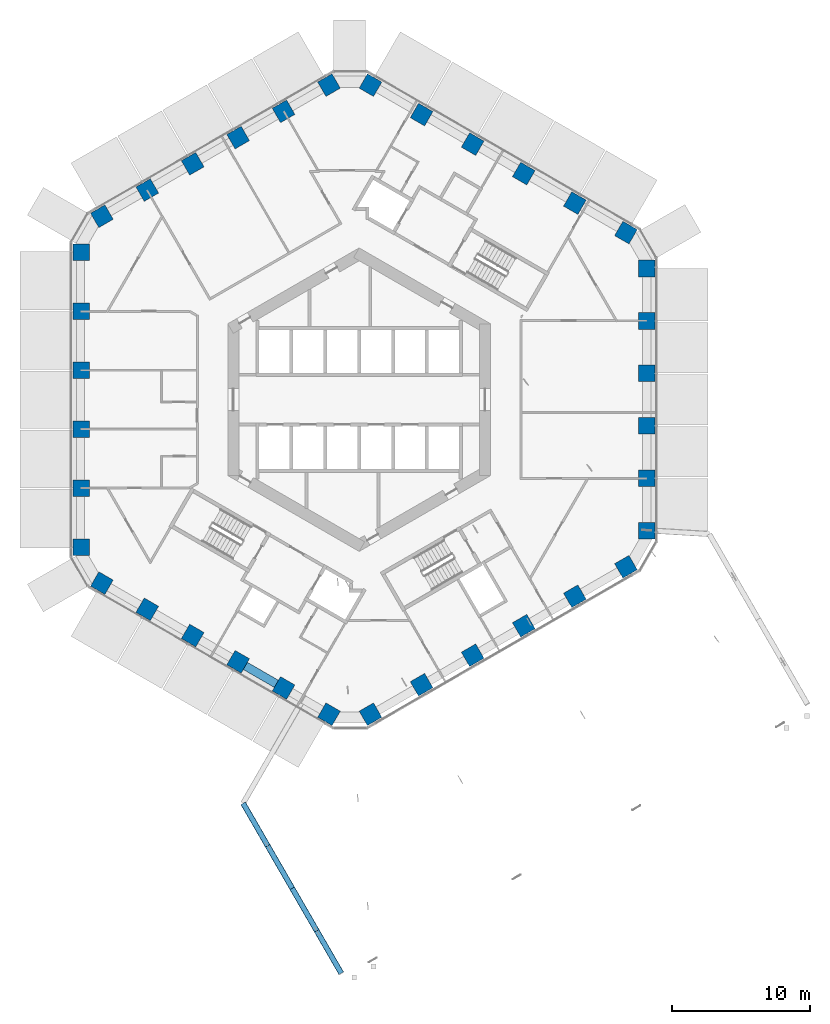
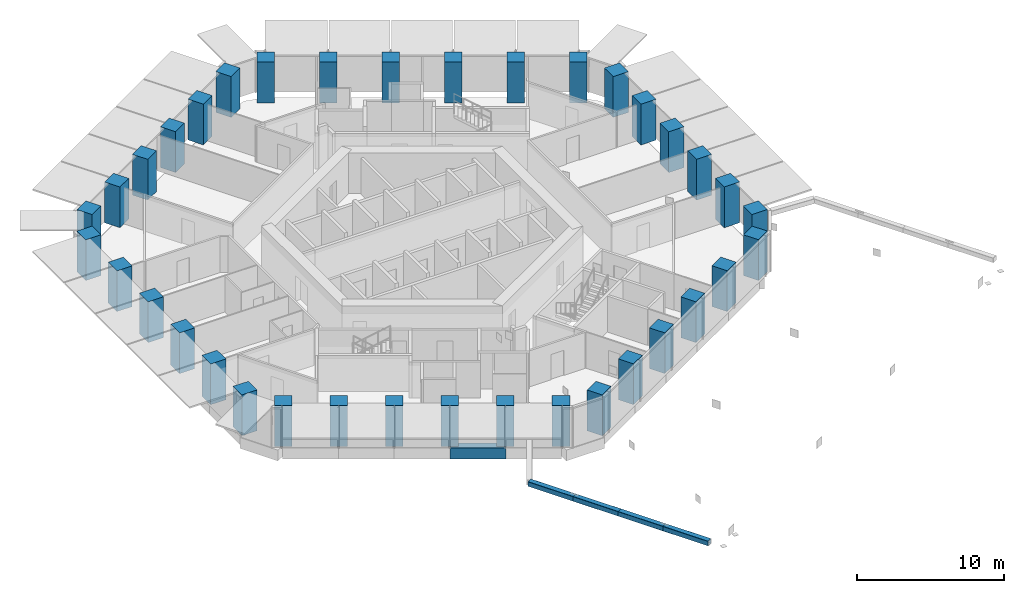
# One storey, part 1 of 22: 36 columns, 4 members, 1 beam.
"""IFC4 building model written with IfcOpenShell, lengths in metres."""

import ifcopenshell
import ifcopenshell.guid

model = None  # the IFC model being written
_history = None  # IfcOwnerHistory: only IFC2X3 demands one
_inside = {}  # id of a spatial element -> (the spatial element, [elements in it])
_under = {}  # id of a project, library or spatial element -> (it, [spatial elements below it])
_declared = {}  # id of a project -> (the project, [libraries it declares])
_typed = {}  # id of a type object -> (the type object, [elements of that type])
_made_of = {}  # id of a material, layer set ... -> (it, [elements and type objects made of it])


def new_model(schema):
    """Start an empty IFC model of exactly this schema.

    Asked for "IFC4X3", IfcOpenShell would pick the latest addendum, in which some entities
    have other attributes; the version numbers below select the first issue.
    IFC2X3 requires an IfcOwnerHistory on every rooted entity: one is made here for all.
    """
    global model, _history
    if schema == "IFC4X3":
        model = ifcopenshell.file(schema_version=(4, 3, 0, 0))
    else:
        model = ifcopenshell.file(schema=schema)
    _inside.clear()
    _under.clear()
    _declared.clear()
    _typed.clear()
    _made_of.clear()
    _history = None
    if model.schema == "IFC2X3":
        org = make("IfcOrganization", Name="unknown")
        user = make(
            "IfcPersonAndOrganization",
            ThePerson=make("IfcPerson", FamilyName="unknown"),
            TheOrganization=org,
        )
        app = make(
            "IfcApplication",
            ApplicationDeveloper=org,
            Version="unknown",
            ApplicationFullName="unknown",
            ApplicationIdentifier="unknown",
        )
        _history = make(
            "IfcOwnerHistory",
            OwningUser=user,
            OwningApplication=app,
            ChangeAction="ADDED",
            CreationDate=0,
        )
    return model


def make(cls, **values):
    """One entity of the class cls with the attributes given. An attribute that is None is left unset."""
    return model.create_entity(
        cls, **{name: value for name, value in values.items() if value is not None}
    )


def rooted(cls, **values):
    """An entity with a GlobalId (a new one), such as an element, a storey or a relation."""
    return make(cls, GlobalId=ifcopenshell.guid.new(), OwnerHistory=_history, **values)


def si_unit(unit_type, name, prefix=None):
    """IfcSIUnit, for example si_unit("LENGTHUNIT", "METRE", prefix="MILLI")."""
    return make("IfcSIUnit", UnitType=unit_type, Prefix=prefix, Name=name)


def assignment(units):
    """IfcUnitAssignment: the units of a project."""
    return None if units is None else make("IfcUnitAssignment", Units=units)


def point(xyz):
    """IfcCartesianPoint."""
    return None if xyz is None else make("IfcCartesianPoint", Coordinates=xyz)


def direction(xyz):
    """IfcDirection."""
    return None if xyz is None else make("IfcDirection", DirectionRatios=xyz)


def frame(location, z_axis=None, x_axis=None):
    """IfcAxis2Placement3D, a coordinate frame: its origin and axes. An axis left out is left unset."""
    return make(
        "IfcAxis2Placement3D",
        Location=point(location),
        Axis=direction(z_axis),
        RefDirection=direction(x_axis),
    )


def frame_2d(location, x_axis=None):
    """IfcAxis2Placement2D, a coordinate frame in the plane: its origin and x axis."""
    return make(
        "IfcAxis2Placement2D", Location=point(location), RefDirection=direction(x_axis)
    )


def origin():
    """The frame at (0, 0, 0) with its axes left unset."""
    return frame((0.0, 0.0, 0.0))


def origin_2d():
    """The frame at (0, 0) in the plane with its x axis left unset."""
    return frame_2d((0.0, 0.0))


def place(relative_to, where):
    """IfcLocalPlacement: puts the frame where relative to a parent placement (None: the world)."""
    return make(
        "IfcLocalPlacement", PlacementRelTo=relative_to, RelativePlacement=where
    )


def context(
    kind, dimensions, precision=None, world=None, true_north=None, identifier=None
):
    """IfcGeometricRepresentationContext, for example the 3D "Model" context."""
    return make(
        "IfcGeometricRepresentationContext",
        ContextIdentifier=identifier,
        ContextType=kind,
        CoordinateSpaceDimension=dimensions,
        Precision=precision,
        WorldCoordinateSystem=world,
        TrueNorth=true_north,
    )


def subcontext(parent, identifier, kind, view, scale=None):
    """IfcGeometricRepresentationSubContext, for example "Body" below "Model"."""
    return make(
        "IfcGeometricRepresentationSubContext",
        ContextIdentifier=identifier,
        ContextType=kind,
        ParentContext=parent,
        TargetScale=scale,
        TargetView=view,
    )


def project(units=None, contexts=None):
    """IfcProject with its units and contexts."""
    return rooted(
        "IfcProject",
        Name="project",
        RepresentationContexts=contexts,
        UnitsInContext=assignment(units),
    )


def spatial(cls, under=None, at=None, **own):
    """A site, building, storey or space (cls), placed at a placement, below another one or the project."""
    s = rooted(cls, ObjectPlacement=at, **own)
    if under is not None:
        _under.setdefault(under.id(), (under, []))[1].append(s)
    return s


def profile(cls, at=None, kind="AREA", **sizes):
    """A parametric profile (cls). Its sizes go by their IFC names, for example OverallWidth=200.0."""
    return make(cls, ProfileType=kind, Position=at, **sizes)


def rectangle(**sizes):
    """IfcRectangleProfileDef."""
    return profile("IfcRectangleProfileDef", **sizes)


def hollow_rectangle(**sizes):
    """IfcRectangleHollowProfileDef."""
    return profile("IfcRectangleHollowProfileDef", **sizes)


def extrude(swept, where, along, depth):
    """IfcExtrudedAreaSolid: the profile swept, set in the frame where, extruded along a direction by depth."""
    return make(
        "IfcExtrudedAreaSolid",
        SweptArea=swept,
        Position=where,
        ExtrudedDirection=direction(along),
        Depth=depth,
    )


def shape(context_of_items, identifier, shape_type, items):
    """IfcShapeRepresentation: the items that make up one representation, for example the "Body"."""
    return make(
        "IfcShapeRepresentation",
        ContextOfItems=context_of_items,
        RepresentationIdentifier=identifier,
        RepresentationType=shape_type,
        Items=items,
    )


def material(Name=None, Category=None):
    """IfcMaterial."""
    return make("IfcMaterial", Name=Name, Category=Category)


def material_profile(
    of_material, cross_section, Name=None, Category=None, Priority=None
):
    """IfcMaterialProfile: a cross section and its material."""
    return make(
        "IfcMaterialProfile",
        Name=Name,
        Material=of_material,
        Profile=cross_section,
        Priority=Priority,
        Category=Category,
    )


def profile_set(profiles, Name=None, composite=None):
    """IfcMaterialProfileSet."""
    return make(
        "IfcMaterialProfileSet",
        Name=Name,
        MaterialProfiles=profiles,
        CompositeProfile=composite,
    )


def made_of(thing, what):
    """Note that an element or type object is made of a material, layer set ...; save() writes the relation."""
    if what is not None:
        _made_of.setdefault(what.id(), (what, []))[1].append(thing)
    return thing


def type_object(cls, material=None, **own):
    """A type object (cls), such as IfcWallType, which elements share."""
    return made_of(rooted(cls, **own), material)


def element(
    cls,
    number,
    at=None,
    inside=None,
    cuts=None,
    type_object=None,
    material=None,
    context=None,
    identifier="Body",
    shape_type=None,
    held_by="IfcProductDefinitionShape",
    body=None,
    shapes=None,
    **own,
):
    """One element of the class cls, such as IfcWall. Its Tag is "e" and its number.

    at: its placement. inside: the storey or other place that contains it. cuts: it is an
    opening in that element (IfcRelVoidsElement). A single representation is given by context,
    identifier, shape_type and body (its items); several are given by shapes. held_by: the class
    of the entity that holds the representations. save() writes the other relations.
    """
    e = rooted(cls, Tag="e%d" % number, ObjectPlacement=at, **own)
    if body is not None:
        shapes = [shape(context, identifier, shape_type, body)]
    if shapes is not None:
        e.Representation = make(held_by, Representations=shapes)
    if inside is not None:
        _inside.setdefault(inside.id(), (inside, []))[1].append(e)
    if cuts is not None:
        rooted(
            "IfcRelVoidsElement", RelatingBuildingElement=cuts, RelatedOpeningElement=e
        )
    if type_object is not None:
        _typed.setdefault(type_object.id(), (type_object, []))[1].append(e)
    return made_of(e, material)


def aggregate(whole, parts):
    """IfcRelAggregates: a whole, such as a stair, and the parts it consists of."""
    return rooted("IfcRelAggregates", RelatingObject=whole, RelatedObjects=parts)


def save(model, path):
    """Write the relations noted so far, then the file.

    IfcRelAggregates (storeys below a building ...), IfcRelContainedInSpatialStructure (elements
    in a storey), IfcRelDefinesByType, IfcRelAssociatesMaterial and IfcRelDeclares: one each for
    every whole, place, type object, material and project.
    """
    for whole, parts in _under.values():
        aggregate(whole, parts)
    for where, things in _inside.values():
        rooted(
            "IfcRelContainedInSpatialStructure",
            RelatedElements=things,
            RelatingStructure=where,
        )
    for kind, things in _typed.values():
        rooted("IfcRelDefinesByType", RelatedObjects=things, RelatingType=kind)
    for what, things in _made_of.values():
        rooted("IfcRelAssociatesMaterial", RelatedObjects=things, RelatingMaterial=what)
    for by, libraries in _declared.values():
        rooted("IfcRelDeclares", RelatingContext=by, RelatedDefinitions=libraries)
    model.write(path)


model = new_model("IFC4")

# Units and contexts
model_context = context("Model", 3, precision=1e-05, world=origin(), true_north=direction((0.0, 1.0)))
body_context = subcontext(model_context, "Body", "Model", "MODEL_VIEW")
ifc_project = project(units=[si_unit("LENGTHUNIT", "METRE"), si_unit("AREAUNIT", "SQUARE_METRE"), si_unit("VOLUMEUNIT", "CUBIC_METRE"), si_unit("PLANEANGLEUNIT", "RADIAN"), si_unit("MASSUNIT", "GRAM", prefix="KILO")], contexts=[model_context])

# Site, building, storey
site_placement = place(None, origin())
site = spatial("IfcSite", under=ifc_project, at=site_placement, CompositionType="ELEMENT")
building_placement = place(site_placement, origin())
building = spatial("IfcBuilding", under=site, at=building_placement, Name="Ayvan Gate Tower", CompositionType="ELEMENT")
storey_placement = place(building_placement, frame((0.0, 0.0, 62.89990234375)))
storey = spatial("IfcBuildingStorey", under=building, at=storey_placement, Name="L16", CompositionType="ELEMENT", Elevation=62.89990234375)

# Columns
ifc_material_1 = material(Name="Concrete C70/85", Category="concrete")
ifc_material_profile_1 = material_profile(ifc_material_1, rectangle(XDim=1.199951171875, YDim=1.199951171875, at=origin_2d()), Name="RC 1200x1200")
ifc_profile_set_1 = profile_set([ifc_material_profile_1], Name="Concrete C70/85")
column_type = type_object("IfcColumnType", Name="Tube column RC 1200x1200 C70/85", PredefinedType="COLUMN", material=ifc_profile_set_1)
for number, where, z_axis, x_axis, name in (
    (1, (20.78466796875, -9.47998046875, 0.0), (0.0, 0.0, 1.0), (1.0, 0.0, 0.0), "C-T0-0-L16"),
    (2, (20.78466796875, -5.68798828125, 0.0), (0.0, 0.0, 1.0), (1.0, 0.0, 0.0), "C-T0-1-L16"),
    (3, (20.78466796875, -1.89599609375, 0.0), (0.0, 0.0, 1.0), (1.0, 0.0, 0.0), "C-T0-2-L16"),
    (4, (20.78466796875, 1.89599609375, 0.0), (0.0, 0.0, 1.0), (1.0, 0.0, 0.0), "C-T0-3-L16"),
    (5, (20.78466796875, 5.68798828125, 0.0), (0.0, 0.0, 1.0), (1.0, 0.0, 0.0), "C-T0-4-L16"),
    (6, (20.78466796875, 9.47998046875, 0.0), (0.0, 0.0, 1.0), (1.0, 0.0, 0.0), "C-T0-5-L16"),
    (7, (19.28466796875, 12.077880859375, 0.0), (0.0, 0.0, 1.0), (0.5, 0.866025403784, 0.0), "C-T1-0-L16"),
    (8, (15.59130859375, 14.21044921875, 0.0), (0.0, 0.0, 1.0), (0.5, 0.866025403784, 0.0), "C-T1-1-L16"),
    (9, (11.897705078125, 16.3427734375, 0.0), (0.0, 0.0, 1.0), (0.5, 0.866025403784, 0.0), "C-T1-2-L16"),
    (10, (8.204345703125, 18.47509765625, 0.0), (0.0, 0.0, 1.0), (0.5, 0.866025403784, 0.0), "C-T1-3-L16"),
    (11, (4.510986328125, 20.607421875, 0.0), (0.0, 0.0, 1.0), (0.5, 0.866025403784, 0.0), "C-T1-4-L16"),
    (12, (0.817626953125, 22.739990234375, 0.0), (0.0, 0.0, 1.0), (0.5, 0.866025403784, 0.0), "C-T1-5-L16"),
    (13, (-2.182373046875, 22.739990234375, 0.0), (0.0, 0.0, 1.0), (-0.5, 0.866025403784, 0.0), "C-T2-0-L16"),
    (14, (-5.46630859375, 20.843994140625, 0.0), (0.0, 0.0, 1.0), (-0.5, 0.866025403784, 0.0), "C-T2-1-L16"),
    (15, (-8.750244140625, 18.947998046875, 0.0), (0.0, 0.0, 1.0), (-0.5, 0.866025403784, 0.0), "C-T2-2-L16"),
    (16, (-12.0341796875, 17.052001953125, 0.0), (0.0, 0.0, 1.0), (-0.5, 0.866025403784, 0.0), "C-T2-3-L16"),
    (17, (-15.318115234375, 15.156005859375, 0.0), (0.0, 0.0, 1.0), (-0.5, 0.866025403784, 0.0), "C-T2-4-L16"),
    (18, (-18.60205078125, 13.260009765625, 0.0), (0.0, 0.0, 1.0), (-0.5, 0.866025403784, 0.0), "C-T2-5-L16"),
    (19, (-20.10205078125, 10.661865234375, 0.0), (0.0, 0.0, 1.0), (-1.0, 0.0, 0.0), "C-T3-0-L16"),
    (20, (-20.10205078125, 6.397216796875, 0.0), (0.0, 0.0, 1.0), (-1.0, 0.0, 0.0), "C-T3-1-L16"),
    (21, (-20.10205078125, 2.13232421875, 0.0), (0.0, 0.0, 1.0), (-1.0, 0.0, 0.0), "C-T3-2-L16"),
    (22, (-20.10205078125, -2.13232421875, 0.0), (0.0, 0.0, 1.0), (-1.0, 0.0, 0.0), "C-T3-3-L16"),
    (23, (-20.10205078125, -6.397216796875, 0.0), (0.0, 0.0, 1.0), (-1.0, 0.0, 0.0), "C-T3-4-L16"),
    (24, (-20.10205078125, -10.661865234375, 0.0), (0.0, 0.0, 1.0), (-1.0, 0.0, 0.0), "C-T3-5-L16"),
    (25, (-18.60205078125, -13.260009765625, 0.0), (0.0, 0.0, 1.0), (-0.5, -0.866025403784, 0.0), "C-T4-0-L16"),
    (26, (-15.318115234375, -15.156005859375, 0.0), (0.0, 0.0, 1.0), (-0.5, -0.866025403784, 0.0), "C-T4-1-L16"),
    (27, (-12.0341796875, -17.052001953125, 0.0), (0.0, 0.0, 1.0), (-0.5, -0.866025403784, 0.0), "C-T4-2-L16"),
    (28, (-8.750244140625, -18.947998046875, 0.0), (0.0, 0.0, 1.0), (-0.5, -0.866025403784, 0.0), "C-T4-3-L16"),
    (29, (-5.46630859375, -20.843994140625, 0.0), (0.0, 0.0, 1.0), (-0.5, -0.866025403784, 0.0), "C-T4-4-L16"),
    (30, (-2.182373046875, -22.739990234375, 0.0), (0.0, 0.0, 1.0), (-0.5, -0.866025403784, 0.0), "C-T4-5-L16"),
    (31, (0.817626953125, -22.739990234375, 0.0), (0.0, 0.0, 1.0), (0.5, -0.866025403784, 0.0), "C-T5-0-L16"),
    (32, (4.510986328125, -20.607421875, 0.0), (0.0, 0.0, 1.0), (0.5, -0.866025403784, 0.0), "C-T5-1-L16"),
    (33, (8.204345703125, -18.47509765625, 0.0), (0.0, 0.0, 1.0), (0.5, -0.866025403784, 0.0), "C-T5-2-L16"),
    (34, (11.897705078125, -16.3427734375, 0.0), (0.0, 0.0, 1.0), (0.5, -0.866025403784, 0.0), "C-T5-3-L16"),
    (35, (15.59130859375, -14.21044921875, 0.0), (0.0, 0.0, 1.0), (0.5, -0.866025403784, 0.0), "C-T5-4-L16"),
    (36, (19.28466796875, -12.077880859375, 0.0), (0.0, 0.0, 1.0), (0.5, -0.866025403784, 0.0), "C-T5-5-L16"),
):
    element("IfcColumn", number, at=place(storey_placement, frame(where, z_axis=z_axis, x_axis=x_axis)), inside=storey, type_object=column_type, Name=name, PredefinedType="COLUMN", context=body_context, shape_type="SweptSolid", body=[
        extrude(rectangle(XDim=1.199951171875, YDim=1.199951171875, at=origin_2d()), origin(), (0.0, 0.0, 1.0), 3.400146484375),
    ])

# Members
ifc_material_2 = material(Name="Steel S460NH", Category="steel")
ifc_material_profile_2 = material_profile(ifc_material_2, hollow_rectangle(XDim=0.39990234375, YDim=0.39990234375, WallThickness=0.02001953125, InnerFilletRadius=0.02001953125, OuterFilletRadius=0.030029296875, at=origin_2d()), Name="RHS 400x400x20")
ifc_profile_set_2 = profile_set([ifc_material_profile_2], Name="Steel S460NH")
member_type = type_object("IfcMemberType", Name="Sky bar truss brace B1 RHS 400x400x20", PredefinedType="BRACE", material=ifc_profile_set_2)
member_1_placement = place(storey_placement, frame((-8.390869140625, -29.1767578125, 2.650146484375), z_axis=(0.500022077904, -0.866012656725, 0.0), x_axis=(0.866012656725, 0.500022077904, 0.0)))
element("IfcMember", 37, at=member_1_placement, inside=storey, type_object=member_type, Name="SBX1-B-BC-2", PredefinedType="CHORD", context=body_context, shape_type="SweptSolid", body=[
    extrude(hollow_rectangle(XDim=0.39990234375, YDim=0.39990234375, WallThickness=0.02001953125, InnerFilletRadius=0.02001953125, OuterFilletRadius=0.030029296875, at=origin_2d()), origin(), (0.0, 0.0, 1.0), 3.550048828125),
])
member_2_placement = place(storey_placement, frame((-6.61572265625, -32.251220703125, 2.650146484375), z_axis=(0.500000279077, -0.866025242659, 0.0), x_axis=(0.866025242659, 0.500000279077, 0.0)))
element("IfcMember", 38, at=member_2_placement, inside=storey, type_object=member_type, Name="SBX1-B-BC-3", PredefinedType="CHORD", context=body_context, shape_type="SweptSolid", body=[
    extrude(hollow_rectangle(XDim=0.39990234375, YDim=0.39990234375, WallThickness=0.02001953125, InnerFilletRadius=0.02001953125, OuterFilletRadius=0.030029296875, at=origin_2d()), origin(), (0.0, 0.0, 1.0), 3.5498046875),
])
for number, where, z_axis, x_axis, name in (
    (39, (-4.8408203125, -35.325439453125, 2.650146484375), (0.500022077904, -0.866012656725, 0.0), (0.866012656725, 0.500022077904, 0.0), "SBX1-B-BC-4"),
    (40, (-3.065673828125, -38.39990234375, 2.650146484375), (0.499970499736, -0.8660424351, 0.0), (0.8660424351, 0.499970499736, 0.0), "SBX1-B-BC-5"),
):
    element("IfcMember", number, at=place(storey_placement, frame(where, z_axis=z_axis, x_axis=x_axis)), inside=storey, type_object=member_type, Name=name, PredefinedType="CHORD", context=body_context, shape_type="SweptSolid", body=[
        extrude(hollow_rectangle(XDim=0.39990234375, YDim=0.39990234375, WallThickness=0.02001953125, InnerFilletRadius=0.02001953125, OuterFilletRadius=0.030029296875, at=origin_2d()), origin(), (0.0, 0.0, 1.0), 3.550048828125),
    ])

# Beam
ifc_material_3 = material(Name="Concrete C40/50", Category="concrete")
ifc_material_profile_3 = material_profile(ifc_material_3, rectangle(XDim=0.60009765625, YDim=0.89990234375, at=origin_2d()), Name="RC 600x900")
ifc_profile_set_3 = profile_set([ifc_material_profile_3], Name="Concrete C40/50")
beam_type = type_object("IfcBeamType", Name="Spandrel beam RC 600x900 C40/50", PredefinedType="BEAM", material=ifc_profile_set_3)
beam_placement = place(storey_placement, frame((-8.74169921875, -18.953125, -0.7998046875), z_axis=(0.866039482191, -0.499975614691, 0.0), x_axis=(0.499975614691, 0.866039482191, 0.0)))
element("IfcBeam", 41, at=beam_placement, inside=storey, type_object=beam_type, Name="SB-L16-28", PredefinedType="BEAM", context=body_context, shape_type="SweptSolid", body=[
    extrude(rectangle(XDim=0.60009765625, YDim=0.89990234375, at=origin_2d()), origin(), (0.0, 0.0, 1.0), 3.812255859375),
])

save(model, "model.ifc")
